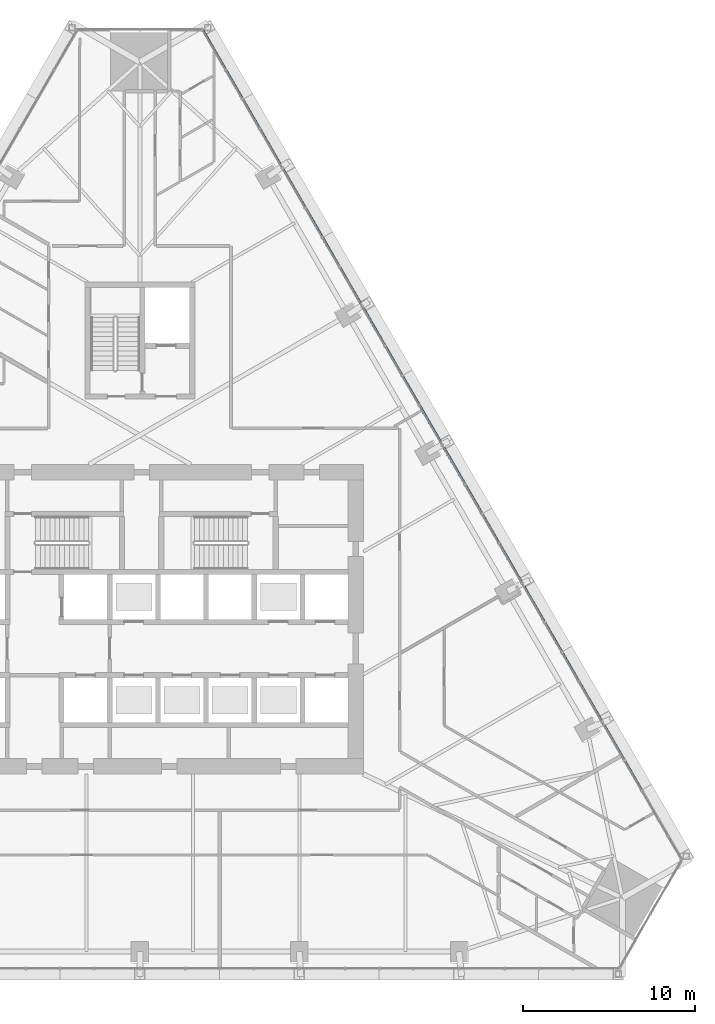
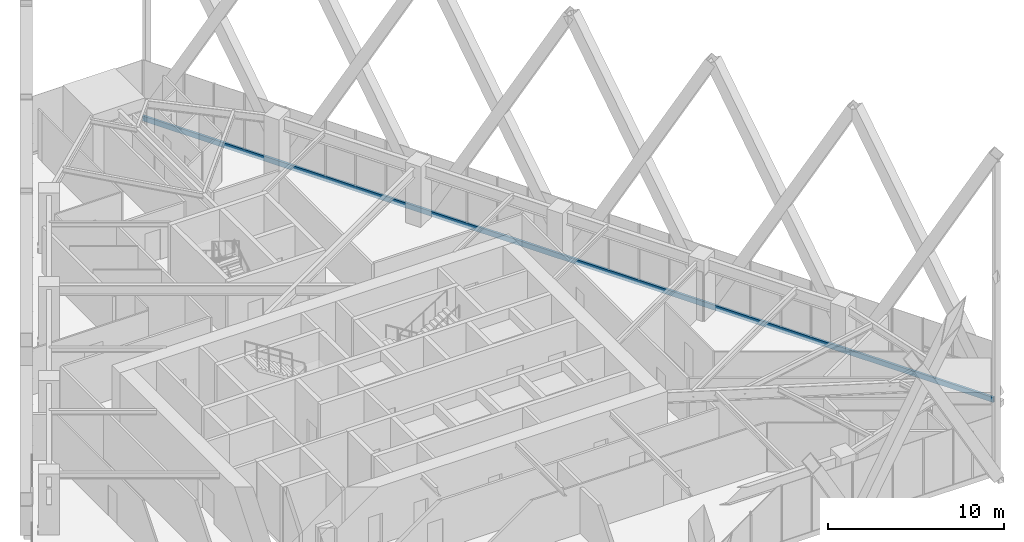
# One storey, part 8 of 19: 1 member, 1 element without a shape of its own.
"""IFC4 building model written with IfcOpenShell, lengths in metres."""

import ifcopenshell
import ifcopenshell.guid

model = None  # the IFC model being written
_history = None  # IfcOwnerHistory: only IFC2X3 demands one
_inside = {}  # id of a spatial element -> (the spatial element, [elements in it])
_under = {}  # id of a project, library or spatial element -> (it, [spatial elements below it])
_declared = {}  # id of a project -> (the project, [libraries it declares])
_typed = {}  # id of a type object -> (the type object, [elements of that type])
_made_of = {}  # id of a material, layer set ... -> (it, [elements and type objects made of it])


def new_model(schema):
    """Start an empty IFC model of exactly this schema.

    Asked for "IFC4X3", IfcOpenShell would pick the latest addendum, in which some entities
    have other attributes; the version numbers below select the first issue.
    IFC2X3 requires an IfcOwnerHistory on every rooted entity: one is made here for all.
    """
    global model, _history
    if schema == "IFC4X3":
        model = ifcopenshell.file(schema_version=(4, 3, 0, 0))
    else:
        model = ifcopenshell.file(schema=schema)
    _inside.clear()
    _under.clear()
    _declared.clear()
    _typed.clear()
    _made_of.clear()
    _history = None
    if model.schema == "IFC2X3":
        org = make("IfcOrganization", Name="unknown")
        user = make(
            "IfcPersonAndOrganization",
            ThePerson=make("IfcPerson", FamilyName="unknown"),
            TheOrganization=org,
        )
        app = make(
            "IfcApplication",
            ApplicationDeveloper=org,
            Version="unknown",
            ApplicationFullName="unknown",
            ApplicationIdentifier="unknown",
        )
        _history = make(
            "IfcOwnerHistory",
            OwningUser=user,
            OwningApplication=app,
            ChangeAction="ADDED",
            CreationDate=0,
        )
    return model


def make(cls, **values):
    """One entity of the class cls with the attributes given. An attribute that is None is left unset."""
    return model.create_entity(
        cls, **{name: value for name, value in values.items() if value is not None}
    )


def rooted(cls, **values):
    """An entity with a GlobalId (a new one), such as an element, a storey or a relation."""
    return make(cls, GlobalId=ifcopenshell.guid.new(), OwnerHistory=_history, **values)


def si_unit(unit_type, name, prefix=None):
    """IfcSIUnit, for example si_unit("LENGTHUNIT", "METRE", prefix="MILLI")."""
    return make("IfcSIUnit", UnitType=unit_type, Prefix=prefix, Name=name)


def assignment(units):
    """IfcUnitAssignment: the units of a project."""
    return None if units is None else make("IfcUnitAssignment", Units=units)


def point(xyz):
    """IfcCartesianPoint."""
    return None if xyz is None else make("IfcCartesianPoint", Coordinates=xyz)


def direction(xyz):
    """IfcDirection."""
    return None if xyz is None else make("IfcDirection", DirectionRatios=xyz)


def frame(location, z_axis=None, x_axis=None):
    """IfcAxis2Placement3D, a coordinate frame: its origin and axes. An axis left out is left unset."""
    return make(
        "IfcAxis2Placement3D",
        Location=point(location),
        Axis=direction(z_axis),
        RefDirection=direction(x_axis),
    )


def frame_2d(location, x_axis=None):
    """IfcAxis2Placement2D, a coordinate frame in the plane: its origin and x axis."""
    return make(
        "IfcAxis2Placement2D", Location=point(location), RefDirection=direction(x_axis)
    )


def origin():
    """The frame at (0, 0, 0) with its axes left unset."""
    return frame((0.0, 0.0, 0.0))


def origin_2d():
    """The frame at (0, 0) in the plane with its x axis left unset."""
    return frame_2d((0.0, 0.0))


def place(relative_to, where):
    """IfcLocalPlacement: puts the frame where relative to a parent placement (None: the world)."""
    return make(
        "IfcLocalPlacement", PlacementRelTo=relative_to, RelativePlacement=where
    )


def context(
    kind, dimensions, precision=None, world=None, true_north=None, identifier=None
):
    """IfcGeometricRepresentationContext, for example the 3D "Model" context."""
    return make(
        "IfcGeometricRepresentationContext",
        ContextIdentifier=identifier,
        ContextType=kind,
        CoordinateSpaceDimension=dimensions,
        Precision=precision,
        WorldCoordinateSystem=world,
        TrueNorth=true_north,
    )


def subcontext(parent, identifier, kind, view, scale=None):
    """IfcGeometricRepresentationSubContext, for example "Body" below "Model"."""
    return make(
        "IfcGeometricRepresentationSubContext",
        ContextIdentifier=identifier,
        ContextType=kind,
        ParentContext=parent,
        TargetScale=scale,
        TargetView=view,
    )


def project(units=None, contexts=None):
    """IfcProject with its units and contexts."""
    return rooted(
        "IfcProject",
        Name="project",
        RepresentationContexts=contexts,
        UnitsInContext=assignment(units),
    )


def spatial(cls, under=None, at=None, **own):
    """A site, building, storey or space (cls), placed at a placement, below another one or the project."""
    s = rooted(cls, ObjectPlacement=at, **own)
    if under is not None:
        _under.setdefault(under.id(), (under, []))[1].append(s)
    return s


def profile(cls, at=None, kind="AREA", **sizes):
    """A parametric profile (cls). Its sizes go by their IFC names, for example OverallWidth=200.0."""
    return make(cls, ProfileType=kind, Position=at, **sizes)


def rectangle(**sizes):
    """IfcRectangleProfileDef."""
    return profile("IfcRectangleProfileDef", **sizes)


def extrude(swept, where, along, depth):
    """IfcExtrudedAreaSolid: the profile swept, set in the frame where, extruded along a direction by depth."""
    return make(
        "IfcExtrudedAreaSolid",
        SweptArea=swept,
        Position=where,
        ExtrudedDirection=direction(along),
        Depth=depth,
    )


def shape(context_of_items, identifier, shape_type, items):
    """IfcShapeRepresentation: the items that make up one representation, for example the "Body"."""
    return make(
        "IfcShapeRepresentation",
        ContextOfItems=context_of_items,
        RepresentationIdentifier=identifier,
        RepresentationType=shape_type,
        Items=items,
    )


def material(Name=None, Category=None):
    """IfcMaterial."""
    return make("IfcMaterial", Name=Name, Category=Category)


def layer(
    of_material, thickness, ventilated=None, Name=None, Category=None, Priority=None
):
    """IfcMaterialLayer: one layer of a wall or slab, of a material (None: an air gap)."""
    return make(
        "IfcMaterialLayer",
        Material=of_material,
        LayerThickness=thickness,
        IsVentilated=ventilated,
        Name=Name,
        Category=Category,
        Priority=Priority,
    )


def layer_set(layers, Name=None):
    """IfcMaterialLayerSet."""
    return make("IfcMaterialLayerSet", MaterialLayers=layers, LayerSetName=Name)


def material_profile(
    of_material, cross_section, Name=None, Category=None, Priority=None
):
    """IfcMaterialProfile: a cross section and its material."""
    return make(
        "IfcMaterialProfile",
        Name=Name,
        Material=of_material,
        Profile=cross_section,
        Priority=Priority,
        Category=Category,
    )


def profile_set(profiles, Name=None, composite=None):
    """IfcMaterialProfileSet."""
    return make(
        "IfcMaterialProfileSet",
        Name=Name,
        MaterialProfiles=profiles,
        CompositeProfile=composite,
    )


def made_of(thing, what):
    """Note that an element or type object is made of a material, layer set ...; save() writes the relation."""
    if what is not None:
        _made_of.setdefault(what.id(), (what, []))[1].append(thing)
    return thing


def type_object(cls, material=None, **own):
    """A type object (cls), such as IfcWallType, which elements share."""
    return made_of(rooted(cls, **own), material)


def element(
    cls,
    number,
    at=None,
    inside=None,
    cuts=None,
    type_object=None,
    material=None,
    context=None,
    identifier="Body",
    shape_type=None,
    held_by="IfcProductDefinitionShape",
    body=None,
    shapes=None,
    **own,
):
    """One element of the class cls, such as IfcWall. Its Tag is "e" and its number.

    at: its placement. inside: the storey or other place that contains it. cuts: it is an
    opening in that element (IfcRelVoidsElement). A single representation is given by context,
    identifier, shape_type and body (its items); several are given by shapes. held_by: the class
    of the entity that holds the representations. save() writes the other relations.
    """
    e = rooted(cls, Tag="e%d" % number, ObjectPlacement=at, **own)
    if body is not None:
        shapes = [shape(context, identifier, shape_type, body)]
    if shapes is not None:
        e.Representation = make(held_by, Representations=shapes)
    if inside is not None:
        _inside.setdefault(inside.id(), (inside, []))[1].append(e)
    if cuts is not None:
        rooted(
            "IfcRelVoidsElement", RelatingBuildingElement=cuts, RelatedOpeningElement=e
        )
    if type_object is not None:
        _typed.setdefault(type_object.id(), (type_object, []))[1].append(e)
    return made_of(e, material)


def aggregate(whole, parts):
    """IfcRelAggregates: a whole, such as a stair, and the parts it consists of."""
    return rooted("IfcRelAggregates", RelatingObject=whole, RelatedObjects=parts)


def save(model, path):
    """Write the relations noted so far, then the file.

    IfcRelAggregates (storeys below a building ...), IfcRelContainedInSpatialStructure (elements
    in a storey), IfcRelDefinesByType, IfcRelAssociatesMaterial and IfcRelDeclares: one each for
    every whole, place, type object, material and project.
    """
    for whole, parts in _under.values():
        aggregate(whole, parts)
    for where, things in _inside.values():
        rooted(
            "IfcRelContainedInSpatialStructure",
            RelatedElements=things,
            RelatingStructure=where,
        )
    for kind, things in _typed.values():
        rooted("IfcRelDefinesByType", RelatedObjects=things, RelatingType=kind)
    for what, things in _made_of.values():
        rooted("IfcRelAssociatesMaterial", RelatedObjects=things, RelatingMaterial=what)
    for by, libraries in _declared.values():
        rooted("IfcRelDeclares", RelatingContext=by, RelatedDefinitions=libraries)
    model.write(path)


model = new_model("IFC4")

# Units and contexts
model_context = context("Model", 3, precision=1e-05, world=origin(), true_north=direction((0.0, 1.0)))
body_context = subcontext(model_context, "Body", "Model", "MODEL_VIEW")
ifc_project = project(units=[si_unit("LENGTHUNIT", "METRE"), si_unit("AREAUNIT", "SQUARE_METRE"), si_unit("VOLUMEUNIT", "CUBIC_METRE"), si_unit("PLANEANGLEUNIT", "RADIAN"), si_unit("MASSUNIT", "GRAM", prefix="KILO")], contexts=[model_context])

# Site, building, storey
site_placement = place(None, origin())
site = spatial("IfcSite", under=ifc_project, at=site_placement, CompositionType="ELEMENT")
building_placement = place(site_placement, origin())
building = spatial("IfcBuilding", under=site, at=building_placement, Name="Firuza Gate Tower and Library", CompositionType="ELEMENT")
storey_placement = place(building_placement, frame((0.0, 0.0, 124.0)))
storey = spatial("IfcBuildingStorey", under=building, at=storey_placement, Name="L28", CompositionType="ELEMENT", Elevation=124.0)

# Curtain wall, member
ifc_material_1 = material(Name="Aluminium 6063-T6", Category="aluminium")
ifc_layer = layer(ifc_material_1, 0.14990234375)
ifc_layer_set = layer_set([ifc_layer], Name="Unitised curtain wall, offices")
curtain_wall_type = type_object("IfcCurtainWallType", Name="Unitised curtain wall, offices", PredefinedType="NOTDEFINED", material=ifc_layer_set)
curtain_wall_placement = place(storey_placement, origin())
curtain_wall = element("IfcCurtainWall", 1, at=curtain_wall_placement, inside=storey, type_object=curtain_wall_type, Name="CW1 L28 E face", PredefinedType="NOTDEFINED")
ifc_material_2 = material(Name="Aluminium 6063-T6", Category="aluminium")
ifc_material_profile = material_profile(ifc_material_2, rectangle(XDim=0.14990234375, YDim=0.35009765625, at=origin_2d()))
ifc_profile_set = profile_set([ifc_material_profile], Name="Aluminium 6063-T6")
member_type = type_object("IfcMemberType", Name="Curtain wall transom 350x150", PredefinedType="USERDEFINED", material=ifc_profile_set)
member_placement = place(storey_placement, frame((106.50341796875, 61.018310546875, -0.02490234375), z_axis=(-0.499998060823, 0.866026523366, 0.0), x_axis=(-0.866026523366, -0.499998060823, 0.0)))
member = element("IfcMember", 2, at=member_placement, type_object=member_type, Name="Transom", ObjectType="TRANSOM", PredefinedType="USERDEFINED", context=body_context, shape_type="SweptSolid", body=[
    extrude(rectangle(XDim=0.14990234375, YDim=0.35009765625, at=origin_2d()), origin(), (0.0, 0.0, 1.0), 55.720458984375),
])
aggregate(curtain_wall, [member])

save(model, "model.ifc")
